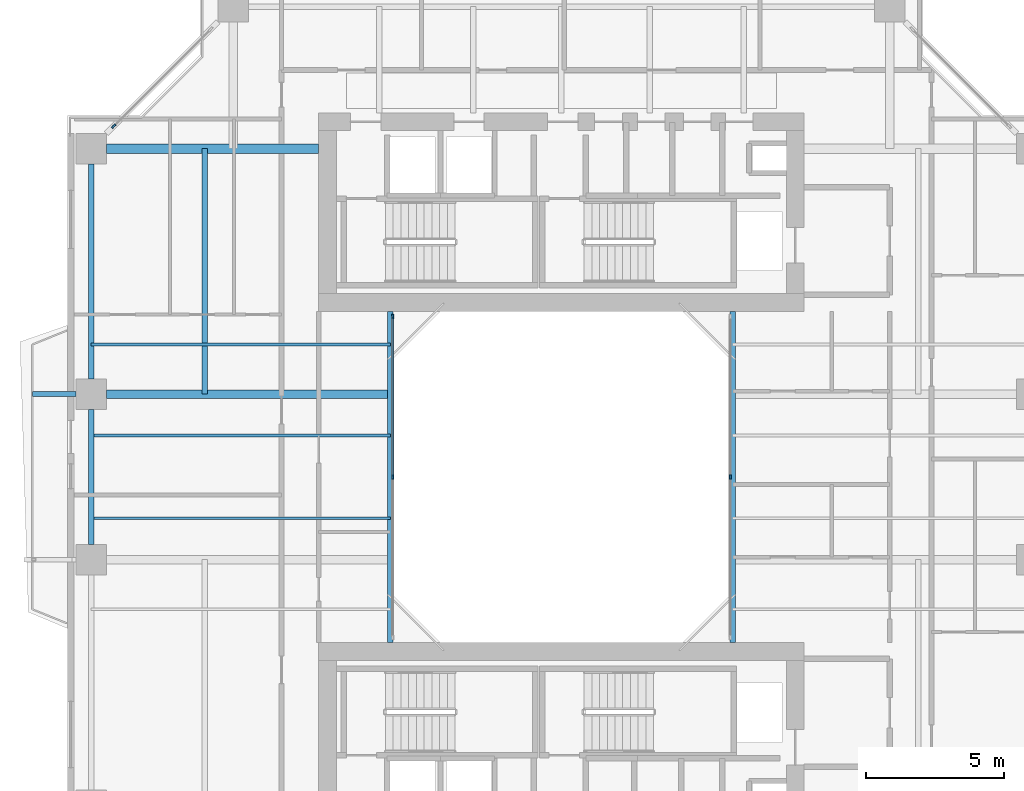
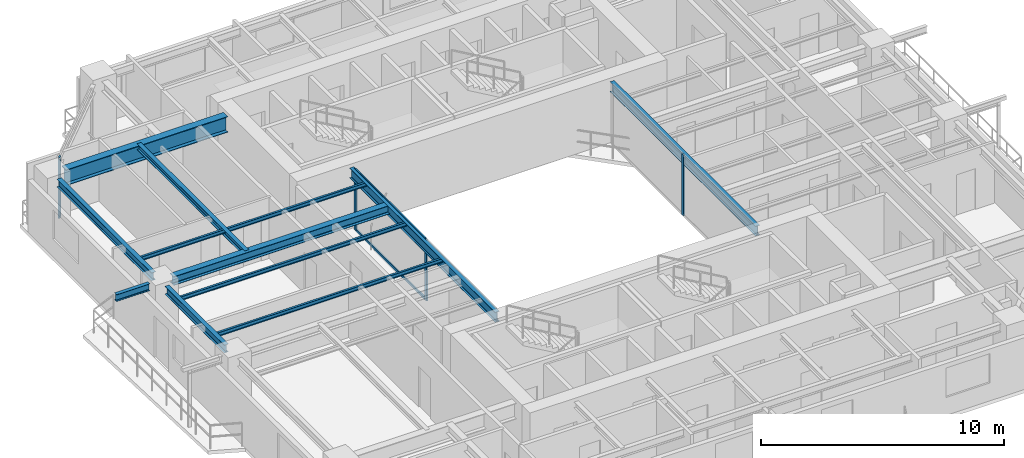
# One storey, part 8 of 28: 11 beams, 6 members, 3 elements without a shape of their own.
"""IFC4 building model written with IfcOpenShell, lengths in metres."""

from ifc_helpers import new_model, si_unit, direction, frame, origin, origin_2d, place, context, subcontext, project, spatial, rectangle, i_section, extrude, source, transform, mapped, material, layer, layer_set, material_profile, profile_set, type_object, element, aggregate, save


model = new_model("IFC4")

# Units and contexts
model_context = context("Model", 3, precision=1e-05, world=origin(), true_north=direction((0.0, 1.0)))
body_context = subcontext(model_context, "Body", "Model", "MODEL_VIEW")
ifc_project = project(units=[si_unit("LENGTHUNIT", "METRE"), si_unit("AREAUNIT", "SQUARE_METRE"), si_unit("VOLUMEUNIT", "CUBIC_METRE"), si_unit("PLANEANGLEUNIT", "RADIAN"), si_unit("MASSUNIT", "GRAM", prefix="KILO"), si_unit("THERMODYNAMICTEMPERATUREUNIT", "KELVIN"), si_unit("POWERUNIT", "WATT")], contexts=[model_context])

# Site, building, storey
site_placement = place(None, origin())
site = spatial("IfcSite", under=ifc_project, at=site_placement, CompositionType="ELEMENT")
building_placement = place(site_placement, origin())
building = spatial("IfcBuilding", under=site, at=building_placement, Name="Qiaomeng Ring Towers", CompositionType="ELEMENT")
storey_placement = place(building_placement, frame((0.0, 0.0, 113.25)))
storey = spatial("IfcBuildingStorey", under=building, at=storey_placement, Name="L32", CompositionType="ELEMENT", Elevation=113.25)

# Beams
ifc_material_1 = material(Name="Steel Q355B", Category="steel")
ifc_material_profile_1 = material_profile(ifc_material_1, i_section(OverallWidth=0.199951171875, OverallDepth=0.5, WebThickness=0.010009765625, FlangeThickness=0.01611328125, FilletRadius=0.02001953125, at=origin_2d()), Name="HN 500x200x10x16")
ifc_profile_set_1 = profile_set([ifc_material_profile_1], Name="Steel Q355B")
beam_type_1 = type_object("IfcBeamType", Name="STR-BM-HN500", PredefinedType="BEAM", material=ifc_profile_set_1)
shared_shape_1 = source(origin(), body_context, "Body", "SweptSolid", [
    extrude(i_section(OverallWidth=0.199951171875, OverallDepth=0.5, WebThickness=0.010009765625, FlangeThickness=0.01611328125, FilletRadius=0.02001953125, at=origin_2d()), origin(), (0.0, 0.0, 1.0), 12.0),
])
for number, where, z_axis, x_axis, name in (
    (1, (12.800048828125, 17.0, 2.820068359375), (0.0, 1.0, 0.0), (-1.0, 0.0, 0.0), "L32 beam STR-BM-L32-WELL-W"),
    (2, (25.199951171875, 17.0, 2.820068359375), (0.0, 1.0, 0.0), (-1.0, 0.0, 0.0), "L32 beam STR-BM-L32-WELL-E"),
):
    element("IfcBeam", number, at=place(storey_placement, frame(where, z_axis=z_axis, x_axis=x_axis)), inside=storey, type_object=beam_type_1, Name=name, PredefinedType="BEAM", context=body_context, shape_type="MappedRepresentation", body=[
        mapped(shared_shape_1, transform((0.0, 0.0, 0.0), x_axis=(1.0, 0.0, 0.0), y_axis=(0.0, 1.0, 0.0), z_axis=(0.0, 0.0, 1.0), scale=1.0)),
    ])
ifc_material_profile_2 = material_profile(ifc_material_1, i_section(OverallWidth=0.199951171875, OverallDepth=0.39990234375, WebThickness=0.008056640625, FlangeThickness=0.012939453125, FilletRadius=0.01611328125, at=origin_2d()), Name="HN 400x200x8x13")
ifc_profile_set_2 = profile_set([ifc_material_profile_2], Name="Steel Q355B")
beam_type_2 = type_object("IfcBeamType", Name="STR-BM-HN400", PredefinedType="SPANDREL", material=ifc_profile_set_2)
shared_shape_2 = source(origin(), body_context, "Body", "SweptSolid", [
    extrude(i_section(OverallWidth=0.199951171875, OverallDepth=0.39990234375, WebThickness=0.008056640625, FlangeThickness=0.012939453125, FilletRadius=0.01611328125, at=origin_2d()), origin(), (0.0, 0.0, 1.0), 7.802001953125),
])
beam_1_placement = place(storey_placement, frame((1.949951171875, 34.35107421875, 2.8701171875), z_axis=(0.0, -1.0, 0.0), x_axis=(1.0, 0.0, 0.0)))
element("IfcBeam", 3, at=beam_1_placement, inside=storey, type_object=beam_type_2, Name="L32 beam STR-SP-L32-T1-W4-W3", PredefinedType="SPANDREL", context=body_context, shape_type="MappedRepresentation", body=[
    mapped(shared_shape_2, transform((0.0, 0.0, 0.0), x_axis=(1.0, 0.0, 0.0), y_axis=(0.0, 1.0, 0.0), z_axis=(0.0, 0.0, 1.0), scale=1.0)),
])
shared_shape_3 = source(origin(), body_context, "Body", "SweptSolid", [
    extrude(i_section(OverallWidth=0.199951171875, OverallDepth=0.39990234375, WebThickness=0.008056640625, FlangeThickness=0.012939453125, FilletRadius=0.01611328125, at=origin_2d()), origin(), (0.0, 0.0, 1.0), 4.90185546875),
])
beam_2_placement = place(storey_placement, frame((1.949951171875, 25.450927734375, 2.8701171875), z_axis=(0.0, -1.0, 0.0), x_axis=(1.0, 0.0, 0.0)))
element("IfcBeam", 4, at=beam_2_placement, inside=storey, type_object=beam_type_2, Name="L32 beam STR-SP-L32-T1-W3-W2", PredefinedType="SPANDREL", context=body_context, shape_type="MappedRepresentation", body=[
    mapped(shared_shape_3, transform((0.0, 0.0, 0.0), x_axis=(1.0, 0.0, 0.0), y_axis=(0.0, 1.0, 0.0), z_axis=(0.0, 0.0, 1.0), scale=1.0)),
])
ifc_material_2 = material(Name="Steel Q390GJC", Category="steel")
ifc_material_profile_3 = material_profile(ifc_material_2, i_section(OverallWidth=0.35009765625, OverallDepth=0.800048828125, WebThickness=0.01611328125, FlangeThickness=0.028076171875, at=origin_2d()), Name="WH 800x350x16x28")
ifc_profile_set_3 = profile_set([ifc_material_profile_3], Name="Steel Q390GJC")
beam_type_3 = type_object("IfcBeamType", Name="STR-BM-WH800", PredefinedType="BEAM", material=ifc_profile_set_3)
shared_shape_4 = source(origin(), body_context, "Body", "SweptSolid", [
    extrude(i_section(OverallWidth=0.35009765625, OverallDepth=0.800048828125, WebThickness=0.01611328125, FlangeThickness=0.028076171875, at=origin_2d()), origin(), (0.0, 0.0, 1.0), 7.700927734375),
])
beam_3_placement = place(storey_placement, frame((2.4990234375, 34.89990234375, 2.669921875), z_axis=(1.0, 0.0, 0.0), x_axis=(0.0, 1.0, 0.0)))
element("IfcBeam", 5, at=beam_3_placement, inside=storey, type_object=beam_type_3, Name="L32 beam STR-BM-L32-T1-RAD-W4", PredefinedType="BEAM", context=body_context, shape_type="MappedRepresentation", body=[
    mapped(shared_shape_4, transform((0.0, 0.0, 0.0), x_axis=(1.0, 0.0, 0.0), y_axis=(0.0, 1.0, 0.0), z_axis=(0.0, 0.0, 1.0), scale=1.0)),
])
ifc_material_profile_4 = material_profile(ifc_material_1, i_section(OverallWidth=0.300048828125, OverallDepth=0.43994140625, WebThickness=0.010986328125, FlangeThickness=0.01806640625, FilletRadius=0.02392578125, at=origin_2d()), Name="HM 440x300x11x18")
ifc_profile_set_4 = profile_set([ifc_material_profile_4], Name="Steel Q355B")
beam_type_4 = type_object("IfcBeamType", Name="STR-BM-HM440", PredefinedType="BEAM", material=ifc_profile_set_4)
shared_shape_5 = source(origin(), body_context, "Body", "SweptSolid", [
    extrude(i_section(OverallWidth=0.300048828125, OverallDepth=0.43994140625, WebThickness=0.010986328125, FlangeThickness=0.01806640625, FilletRadius=0.02392578125, at=origin_2d()), origin(), (0.0, 0.0, 1.0), 10.301025390625),
])
beam_4_placement = place(storey_placement, frame((2.4990234375, 26.0, 2.85009765625), z_axis=(1.0, 0.0, 0.0), x_axis=(0.0, 1.0, 0.0)))
element("IfcBeam", 6, at=beam_4_placement, inside=storey, type_object=beam_type_4, Name="L32 beam STR-BM-L32-T1-RAD-W3", PredefinedType="BEAM", context=body_context, shape_type="MappedRepresentation", body=[
    mapped(shared_shape_5, transform((0.0, 0.0, 0.0), x_axis=(1.0, 0.0, 0.0), y_axis=(0.0, 1.0, 0.0), z_axis=(0.0, 0.0, 1.0), scale=1.0)),
])
ifc_material_profile_5 = material_profile(ifc_material_1, i_section(OverallWidth=0.175048828125, OverallDepth=0.35009765625, WebThickness=0.007080078125, FlangeThickness=0.010986328125, FilletRadius=0.013916015625, at=origin_2d()), Name="HN 350x175x7x11")
ifc_profile_set_5 = profile_set([ifc_material_profile_5], Name="Steel Q355B")
beam_type_5 = type_object("IfcBeamType", Name="STR-BM-HN350", PredefinedType="JOIST", material=ifc_profile_set_5)
shared_shape_6 = source(origin(), body_context, "Body", "SweptSolid", [
    extrude(i_section(OverallWidth=0.175048828125, OverallDepth=0.35009765625, WebThickness=0.007080078125, FlangeThickness=0.010986328125, FilletRadius=0.013916015625, at=origin_2d()), origin(), (0.0, 0.0, 1.0), 1.580810546875),
])
beam_5_placement = place(storey_placement, frame((-0.179931640625, 26.0, 2.89501953125), z_axis=(1.0, 0.0, 0.0), x_axis=(0.0, 1.0, 0.0)))
element("IfcBeam", 7, at=beam_5_placement, inside=storey, type_object=beam_type_5, Name="L32 beam STR-BALBM-L32-W3", PredefinedType="JOIST", context=body_context, shape_type="MappedRepresentation", body=[
    mapped(shared_shape_6, transform((0.0, 0.0, 0.0), x_axis=(1.0, 0.0, 0.0), y_axis=(0.0, 1.0, 0.0), z_axis=(0.0, 0.0, 1.0), scale=1.0)),
])
ifc_material_profile_6 = material_profile(ifc_material_1, i_section(OverallWidth=0.10009765625, OverallDepth=0.199951171875, WebThickness=0.005615234375, FlangeThickness=0.008056640625, FilletRadius=0.010986328125, at=origin_2d()), Name="HN 200x100x5.5x8")
ifc_profile_set_6 = profile_set([ifc_material_profile_6], Name="Steel Q355B")
beam_type_6 = type_object("IfcBeamType", Name="STR-BM-HN200", PredefinedType="JOIST", material=ifc_profile_set_6)
shared_shape_7 = source(origin(), body_context, "Body", "SweptSolid", [
    extrude(i_section(OverallWidth=0.10009765625, OverallDepth=0.199951171875, WebThickness=0.005615234375, FlangeThickness=0.008056640625, FilletRadius=0.010986328125, at=origin_2d()), origin(), (0.0, 0.0, 1.0), 10.85009765625),
])
for number, where, z_axis, x_axis, name in (
    (8, (1.949951171875, 21.5, 2.969970703125), (1.0, 0.0, 0.0), (0.0, 1.0, 0.0), "L32 beam STR-JST-L32-T1W-2"),
    (9, (1.949951171875, 24.5, 2.969970703125), (1.0, 0.0, 0.0), (0.0, 1.0, 0.0), "L32 beam STR-JST-L32-T1W-3"),
    (10, (1.949951171875, 27.800048828125, 2.969970703125), (1.0, 0.0, 0.0), (0.0, 1.0, 0.0), "L32 beam STR-JST-L32-T1W-4"),
):
    element("IfcBeam", number, at=place(storey_placement, frame(where, z_axis=z_axis, x_axis=x_axis)), inside=storey, type_object=beam_type_6, Name=name, PredefinedType="JOIST", context=body_context, shape_type="MappedRepresentation", body=[
        mapped(shared_shape_7, transform((0.0, 0.0, 0.0), x_axis=(1.0, 0.0, 0.0), y_axis=(0.0, 1.0, 0.0), z_axis=(0.0, 0.0, 1.0), scale=1.0)),
    ])
ifc_material_profile_7 = material_profile(ifc_material_1, i_section(OverallWidth=0.199951171875, OverallDepth=0.2939453125, WebThickness=0.008056640625, FlangeThickness=0.011962890625, FilletRadius=0.01806640625, at=origin_2d()), Name="HM 294x200x8x12")
ifc_profile_set_7 = profile_set([ifc_material_profile_7], Name="Steel Q355B")
beam_type_7 = type_object("IfcBeamType", Name="STR-BM-HM294", PredefinedType="JOIST", material=ifc_profile_set_7)
shared_shape_8 = source(origin(), body_context, "Body", "SweptSolid", [
    extrude(i_section(OverallWidth=0.199951171875, OverallDepth=0.2939453125, WebThickness=0.008056640625, FlangeThickness=0.011962890625, FilletRadius=0.01806640625, at=origin_2d()), origin(), (0.0, 0.0, 1.0), 8.89990234375),
])
beam_6_placement = place(storey_placement, frame((6.074951171875, 26.0, 2.923095703125), z_axis=(0.0, 1.0, 0.0), x_axis=(-1.0, 0.0, 0.0)))
element("IfcBeam", 11, at=beam_6_placement, inside=storey, type_object=beam_type_7, Name="L32 beam STR-JST-L32-T1C-WN", PredefinedType="JOIST", context=body_context, shape_type="MappedRepresentation", body=[
    mapped(shared_shape_8, transform((0.0, 0.0, 0.0), x_axis=(1.0, 0.0, 0.0), y_axis=(0.0, 1.0, 0.0), z_axis=(0.0, 0.0, 1.0), scale=1.0)),
])

# Curtain wall, members
ifc_material_3 = material(Name="Fluorocarbon dark-grey aluminium", Category="aluminium")
ifc_layer_1 = layer(ifc_material_3, 0.139892578125, Name="Fluorocarbon dark-grey aluminium")
ifc_layer_set_1 = layer_set([ifc_layer_1], Name="Fluorocarbon dark-grey aluminium")
curtain_wall_type_1 = type_object("IfcCurtainWallType", Name="ARC-CW-4", PredefinedType="NOTDEFINED", material=ifc_layer_set_1)
curtain_wall_1_placement = place(storey_placement, origin())
curtain_wall_1 = element("IfcCurtainWall", 12, at=curtain_wall_1_placement, inside=storey, type_object=curtain_wall_type_1, Name="L32 Curtain Wall CW4", PredefinedType="NOTDEFINED")
ifc_material_profile_8 = material_profile(ifc_material_3, rectangle(XDim=0.06494140625, YDim=0.159912109375, at=origin_2d()), Name="ALU MULL 65x160")
ifc_profile_set_8 = profile_set([ifc_material_profile_8], Name="Fluorocarbon dark-grey aluminium")
member_type_1 = type_object("IfcMemberType", Name="ARC-CWM-140", PredefinedType="MULLION", material=ifc_profile_set_8)
shared_shape_9 = source(origin(), body_context, "Body", "SweptSolid", [
    extrude(rectangle(XDim=0.06494140625, YDim=0.159912109375, at=origin_2d()), origin(), (0.0, 0.0, 1.0), 3.070068359375),
])
member_1_placement = place(storey_placement, frame((12.8798828125, 23.0, 0.0), z_axis=(0.0, 0.0, 1.0), x_axis=(-1.0, 0.0, 0.0)))
member_1 = element("IfcMember", 13, at=member_1_placement, type_object=member_type_1, Name="CW4 mullion 2", PredefinedType="MULLION", context=body_context, shape_type="MappedRepresentation", body=[
    mapped(shared_shape_9, transform((0.0, 0.0, 0.0), x_axis=(1.0, 0.0, 0.0), y_axis=(0.0, 1.0, 0.0), z_axis=(0.0, 0.0, 1.0), scale=1.0)),
])
member_2_placement = place(storey_placement, frame((12.8798828125, 28.8173828125, 0.0), z_axis=(0.0, 0.0, 1.0), x_axis=(-1.0, 0.0, 0.0)))
member_2 = element("IfcMember", 14, at=member_2_placement, type_object=member_type_1, Name="CW4 mullion 3", PredefinedType="MULLION", context=body_context, shape_type="MappedRepresentation", body=[
    mapped(shared_shape_9, transform((0.0, 0.0, 0.0), x_axis=(1.0, 0.0, 0.0), y_axis=(0.0, 1.0, 0.0), z_axis=(0.0, 0.0, 1.0), scale=1.0)),
])

# Curtain wall, member
curtain_wall_2_placement = place(storey_placement, origin())
curtain_wall_2 = element("IfcCurtainWall", 15, at=curtain_wall_2_placement, inside=storey, type_object=curtain_wall_type_1, Name="L32 Curtain Wall CW4", PredefinedType="NOTDEFINED")
member_3_placement = place(storey_placement, frame((25.1201171875, 23.0, 0.0), z_axis=(0.0, 0.0, 1.0), x_axis=(-1.0, 0.0, 0.0)))
member_3 = element("IfcMember", 16, at=member_3_placement, type_object=member_type_1, Name="CW4 mullion 2", PredefinedType="MULLION", context=body_context, shape_type="MappedRepresentation", body=[
    mapped(shared_shape_9, transform((0.0, 0.0, 0.0), x_axis=(1.0, 0.0, 0.0), y_axis=(0.0, 1.0, 0.0), z_axis=(0.0, 0.0, 1.0), scale=1.0)),
])
aggregate(curtain_wall_2, [member_3])

# Member
ifc_material_profile_9 = material_profile(ifc_material_3, rectangle(XDim=0.06494140625, YDim=0.1298828125, at=origin_2d()), Name="ALU TRAN 65x130")
ifc_profile_set_9 = profile_set([ifc_material_profile_9], Name="Fluorocarbon dark-grey aluminium")
member_type_2 = type_object("IfcMemberType", Name="ARC-CWT-120", PredefinedType="USERDEFINED", material=ifc_profile_set_9)
shared_shape_10 = source(origin(), body_context, "Body", "SweptSolid", [
    extrude(rectangle(XDim=0.06494140625, YDim=0.1298828125, at=origin_2d()), origin(), (0.0, 0.0, 1.0), 5.75244140625),
])
member_4_placement = place(storey_placement, frame((12.8798828125, 23.032470703125, 0.032470703125), z_axis=(0.0, 1.0, 0.0), x_axis=(-1.0, 0.0, 0.0)))
member_4 = element("IfcMember", 17, at=member_4_placement, type_object=member_type_2, Name="CW4 transom 2.1", ObjectType="TRANSOM", PredefinedType="USERDEFINED", context=body_context, shape_type="MappedRepresentation", body=[
    mapped(shared_shape_10, transform((0.0, 0.0, 0.0), x_axis=(1.0, 0.0, 0.0), y_axis=(0.0, 1.0, 0.0), z_axis=(0.0, 0.0, 1.0), scale=1.0)),
])

member_5_placement = place(storey_placement, frame((12.8798828125, 23.032470703125, 3.03759765625), z_axis=(0.0, 1.0, 0.0), x_axis=(-1.0, 0.0, 0.0)))
member_5 = element("IfcMember", 18, at=member_5_placement, type_object=member_type_2, Name="CW4 transom 2.2", ObjectType="TRANSOM", PredefinedType="USERDEFINED", context=body_context, shape_type="MappedRepresentation", body=[
    mapped(shared_shape_10, transform((0.0, 0.0, 0.0), x_axis=(1.0, 0.0, 0.0), y_axis=(0.0, 1.0, 0.0), z_axis=(0.0, 0.0, 1.0), scale=1.0)),
])

aggregate(curtain_wall_1, [member_1, member_2, member_4, member_5])

# Curtain wall, member
ifc_layer_2 = layer(ifc_material_3, 0.14990234375, Name="Fluorocarbon dark-grey aluminium")
ifc_layer_set_2 = layer_set([ifc_layer_2], Name="Fluorocarbon dark-grey aluminium")
curtain_wall_type_2 = type_object("IfcCurtainWallType", Name="ARC-CW-3", PredefinedType="NOTDEFINED", material=ifc_layer_set_2)
curtain_wall_3_placement = place(storey_placement, origin())
curtain_wall_3 = element("IfcCurtainWall", 19, at=curtain_wall_3_placement, inside=storey, type_object=curtain_wall_type_2, Name="L32 Curtain Wall CW3", PredefinedType="NOTDEFINED")
ifc_material_profile_10 = material_profile(ifc_material_3, rectangle(XDim=0.070068359375, YDim=0.179931640625, at=origin_2d()), Name="ALU MULL 70x180")
ifc_profile_set_10 = profile_set([ifc_material_profile_10], Name="Fluorocarbon dark-grey aluminium")
member_type_3 = type_object("IfcMemberType", Name="ARC-CWM-160", PredefinedType="MULLION", material=ifc_profile_set_10)
shared_shape_11 = source(origin(), body_context, "Body", "SweptSolid", [
    extrude(rectangle(XDim=0.070068359375, YDim=0.179931640625, at=origin_2d()), origin(), (0.0, 0.0, 1.0), 3.070068359375),
])
member_6_placement = place(storey_placement, frame((2.7646484375, 35.71484375, 0.0), z_axis=(0.0, 0.0, 1.0), x_axis=(0.707106781187, -0.707106781187, 0.0)))
member_6 = element("IfcMember", 20, at=member_6_placement, type_object=member_type_3, Name="CW3 mullion 2", PredefinedType="MULLION", context=body_context, shape_type="MappedRepresentation", body=[
    mapped(shared_shape_11, transform((0.0, 0.0, 0.0), x_axis=(1.0, 0.0, 0.0), y_axis=(0.0, 1.0, 0.0), z_axis=(0.0, 0.0, 1.0), scale=1.0)),
])
aggregate(curtain_wall_3, [member_6])

save(model, "model.ifc")
